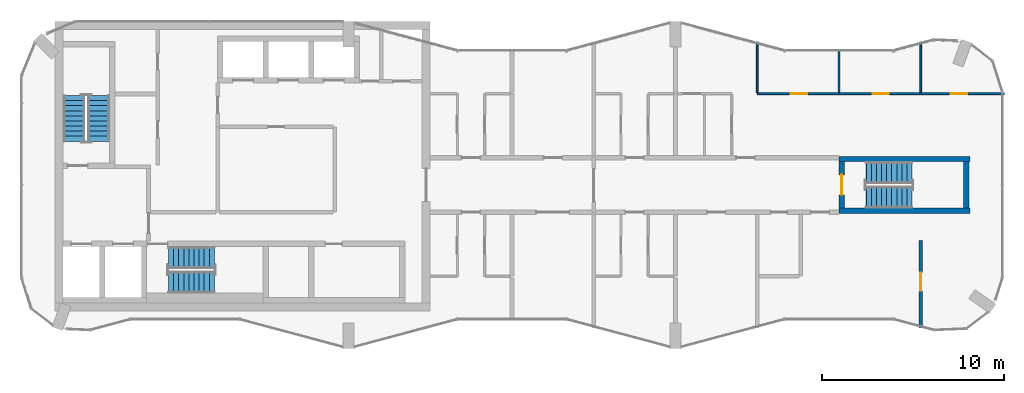
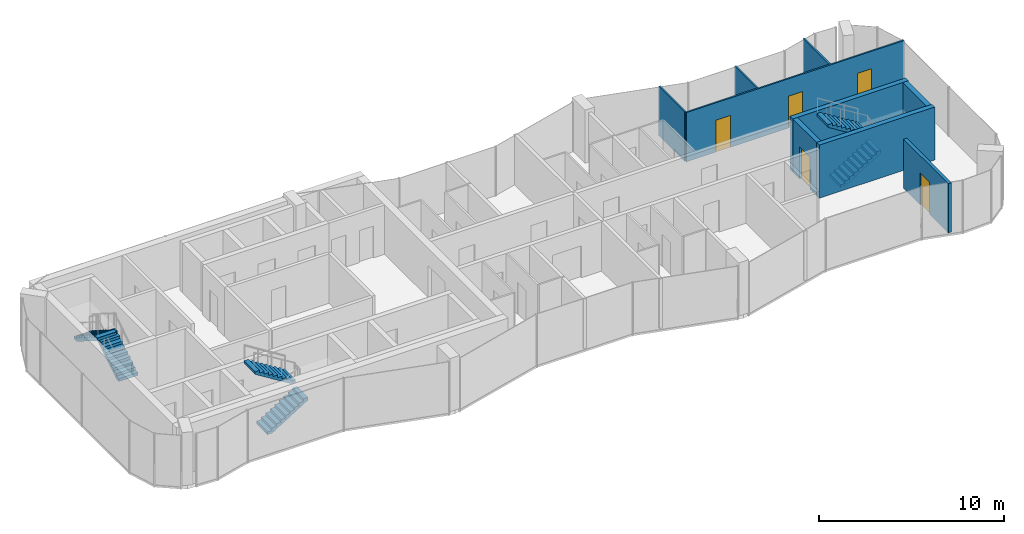
# One storey, part 9 of 10: 9 walls, 6 stair flights, 5 doors, 5 openings, 3 elements without a shape of their own.
"""IFC4 building model written with IfcOpenShell, lengths in metres."""

import ifcopenshell
import ifcopenshell.guid

model = None  # the IFC model being written
_history = None  # IfcOwnerHistory: only IFC2X3 demands one
_inside = {}  # id of a spatial element -> (the spatial element, [elements in it])
_under = {}  # id of a project, library or spatial element -> (it, [spatial elements below it])
_declared = {}  # id of a project -> (the project, [libraries it declares])
_typed = {}  # id of a type object -> (the type object, [elements of that type])
_made_of = {}  # id of a material, layer set ... -> (it, [elements and type objects made of it])


def new_model(schema):
    """Start an empty IFC model of exactly this schema.

    Asked for "IFC4X3", IfcOpenShell would pick the latest addendum, in which some entities
    have other attributes; the version numbers below select the first issue.
    IFC2X3 requires an IfcOwnerHistory on every rooted entity: one is made here for all.
    """
    global model, _history
    if schema == "IFC4X3":
        model = ifcopenshell.file(schema_version=(4, 3, 0, 0))
    else:
        model = ifcopenshell.file(schema=schema)
    _inside.clear()
    _under.clear()
    _declared.clear()
    _typed.clear()
    _made_of.clear()
    _history = None
    if model.schema == "IFC2X3":
        org = make("IfcOrganization", Name="unknown")
        user = make(
            "IfcPersonAndOrganization",
            ThePerson=make("IfcPerson", FamilyName="unknown"),
            TheOrganization=org,
        )
        app = make(
            "IfcApplication",
            ApplicationDeveloper=org,
            Version="unknown",
            ApplicationFullName="unknown",
            ApplicationIdentifier="unknown",
        )
        _history = make(
            "IfcOwnerHistory",
            OwningUser=user,
            OwningApplication=app,
            ChangeAction="ADDED",
            CreationDate=0,
        )
    return model


def make(cls, **values):
    """One entity of the class cls with the attributes given. An attribute that is None is left unset."""
    return model.create_entity(
        cls, **{name: value for name, value in values.items() if value is not None}
    )


def rooted(cls, **values):
    """An entity with a GlobalId (a new one), such as an element, a storey or a relation."""
    return make(cls, GlobalId=ifcopenshell.guid.new(), OwnerHistory=_history, **values)


def si_unit(unit_type, name, prefix=None):
    """IfcSIUnit, for example si_unit("LENGTHUNIT", "METRE", prefix="MILLI")."""
    return make("IfcSIUnit", UnitType=unit_type, Prefix=prefix, Name=name)


def assignment(units):
    """IfcUnitAssignment: the units of a project."""
    return None if units is None else make("IfcUnitAssignment", Units=units)


def point(xyz):
    """IfcCartesianPoint."""
    return None if xyz is None else make("IfcCartesianPoint", Coordinates=xyz)


def direction(xyz):
    """IfcDirection."""
    return None if xyz is None else make("IfcDirection", DirectionRatios=xyz)


def frame(location, z_axis=None, x_axis=None):
    """IfcAxis2Placement3D, a coordinate frame: its origin and axes. An axis left out is left unset."""
    return make(
        "IfcAxis2Placement3D",
        Location=point(location),
        Axis=direction(z_axis),
        RefDirection=direction(x_axis),
    )


def frame_2d(location, x_axis=None):
    """IfcAxis2Placement2D, a coordinate frame in the plane: its origin and x axis."""
    return make(
        "IfcAxis2Placement2D", Location=point(location), RefDirection=direction(x_axis)
    )


def origin():
    """The frame at (0, 0, 0) with its axes left unset."""
    return frame((0.0, 0.0, 0.0))


def place(relative_to, where):
    """IfcLocalPlacement: puts the frame where relative to a parent placement (None: the world)."""
    return make(
        "IfcLocalPlacement", PlacementRelTo=relative_to, RelativePlacement=where
    )


def context(
    kind, dimensions, precision=None, world=None, true_north=None, identifier=None
):
    """IfcGeometricRepresentationContext, for example the 3D "Model" context."""
    return make(
        "IfcGeometricRepresentationContext",
        ContextIdentifier=identifier,
        ContextType=kind,
        CoordinateSpaceDimension=dimensions,
        Precision=precision,
        WorldCoordinateSystem=world,
        TrueNorth=true_north,
    )


def subcontext(parent, identifier, kind, view, scale=None):
    """IfcGeometricRepresentationSubContext, for example "Body" below "Model"."""
    return make(
        "IfcGeometricRepresentationSubContext",
        ContextIdentifier=identifier,
        ContextType=kind,
        ParentContext=parent,
        TargetScale=scale,
        TargetView=view,
    )


def project(units=None, contexts=None):
    """IfcProject with its units and contexts."""
    return rooted(
        "IfcProject",
        Name="project",
        RepresentationContexts=contexts,
        UnitsInContext=assignment(units),
    )


def spatial(cls, under=None, at=None, **own):
    """A site, building, storey or space (cls), placed at a placement, below another one or the project."""
    s = rooted(cls, ObjectPlacement=at, **own)
    if under is not None:
        _under.setdefault(under.id(), (under, []))[1].append(s)
    return s


def polyline(points):
    """IfcPolyline through the points."""
    return make("IfcPolyline", Points=[point(p) for p in points])


def profile(cls, at=None, kind="AREA", **sizes):
    """A parametric profile (cls). Its sizes go by their IFC names, for example OverallWidth=200.0."""
    return make(cls, ProfileType=kind, Position=at, **sizes)


def rectangle(**sizes):
    """IfcRectangleProfileDef."""
    return profile("IfcRectangleProfileDef", **sizes)


def outline(outer, holes=None, kind="AREA"):
    """IfcArbitraryClosedProfileDef: a profile drawn as a closed curve; with holes, ...WithVoids."""
    if holes is None:
        return make("IfcArbitraryClosedProfileDef", ProfileType=kind, OuterCurve=outer)
    return make(
        "IfcArbitraryProfileDefWithVoids",
        ProfileType=kind,
        OuterCurve=outer,
        InnerCurves=holes,
    )


def extrude(swept, where, along, depth):
    """IfcExtrudedAreaSolid: the profile swept, set in the frame where, extruded along a direction by depth."""
    return make(
        "IfcExtrudedAreaSolid",
        SweptArea=swept,
        Position=where,
        ExtrudedDirection=direction(along),
        Depth=depth,
    )


def shape(context_of_items, identifier, shape_type, items):
    """IfcShapeRepresentation: the items that make up one representation, for example the "Body"."""
    return make(
        "IfcShapeRepresentation",
        ContextOfItems=context_of_items,
        RepresentationIdentifier=identifier,
        RepresentationType=shape_type,
        Items=items,
    )


def material(Name=None, Category=None):
    """IfcMaterial."""
    return make("IfcMaterial", Name=Name, Category=Category)


def layer(
    of_material, thickness, ventilated=None, Name=None, Category=None, Priority=None
):
    """IfcMaterialLayer: one layer of a wall or slab, of a material (None: an air gap)."""
    return make(
        "IfcMaterialLayer",
        Material=of_material,
        LayerThickness=thickness,
        IsVentilated=ventilated,
        Name=Name,
        Category=Category,
        Priority=Priority,
    )


def layer_set(layers, Name=None):
    """IfcMaterialLayerSet."""
    return make("IfcMaterialLayerSet", MaterialLayers=layers, LayerSetName=Name)


def made_of(thing, what):
    """Note that an element or type object is made of a material, layer set ...; save() writes the relation."""
    if what is not None:
        _made_of.setdefault(what.id(), (what, []))[1].append(thing)
    return thing


def type_object(cls, material=None, **own):
    """A type object (cls), such as IfcWallType, which elements share."""
    return made_of(rooted(cls, **own), material)


def element(
    cls,
    number,
    at=None,
    inside=None,
    cuts=None,
    type_object=None,
    material=None,
    context=None,
    identifier="Body",
    shape_type=None,
    held_by="IfcProductDefinitionShape",
    body=None,
    shapes=None,
    **own,
):
    """One element of the class cls, such as IfcWall. Its Tag is "e" and its number.

    at: its placement. inside: the storey or other place that contains it. cuts: it is an
    opening in that element (IfcRelVoidsElement). A single representation is given by context,
    identifier, shape_type and body (its items); several are given by shapes. held_by: the class
    of the entity that holds the representations. save() writes the other relations.
    """
    e = rooted(cls, Tag="e%d" % number, ObjectPlacement=at, **own)
    if body is not None:
        shapes = [shape(context, identifier, shape_type, body)]
    if shapes is not None:
        e.Representation = make(held_by, Representations=shapes)
    if inside is not None:
        _inside.setdefault(inside.id(), (inside, []))[1].append(e)
    if cuts is not None:
        rooted(
            "IfcRelVoidsElement", RelatingBuildingElement=cuts, RelatedOpeningElement=e
        )
    if type_object is not None:
        _typed.setdefault(type_object.id(), (type_object, []))[1].append(e)
    return made_of(e, material)


def fill(opening, filler):
    """IfcRelFillsElement: the door or window that sits in an opening."""
    return rooted(
        "IfcRelFillsElement",
        RelatingOpeningElement=opening,
        RelatedBuildingElement=filler,
    )


def aggregate(whole, parts):
    """IfcRelAggregates: a whole, such as a stair, and the parts it consists of."""
    return rooted("IfcRelAggregates", RelatingObject=whole, RelatedObjects=parts)


def save(model, path):
    """Write the relations noted so far, then the file.

    IfcRelAggregates (storeys below a building ...), IfcRelContainedInSpatialStructure (elements
    in a storey), IfcRelDefinesByType, IfcRelAssociatesMaterial and IfcRelDeclares: one each for
    every whole, place, type object, material and project.
    """
    for whole, parts in _under.values():
        aggregate(whole, parts)
    for where, things in _inside.values():
        rooted(
            "IfcRelContainedInSpatialStructure",
            RelatedElements=things,
            RelatingStructure=where,
        )
    for kind, things in _typed.values():
        rooted("IfcRelDefinesByType", RelatedObjects=things, RelatingType=kind)
    for what, things in _made_of.values():
        rooted("IfcRelAssociatesMaterial", RelatedObjects=things, RelatingMaterial=what)
    for by, libraries in _declared.values():
        rooted("IfcRelDeclares", RelatingContext=by, RelatedDefinitions=libraries)
    model.write(path)


model = new_model("IFC4")

# Units and contexts
model_context = context("Model", 3, precision=1e-05, world=origin(), true_north=direction((0.0, 1.0)))
body_context = subcontext(model_context, "Body", "Model", "MODEL_VIEW")
ifc_project = project(units=[si_unit("LENGTHUNIT", "METRE"), si_unit("AREAUNIT", "SQUARE_METRE"), si_unit("VOLUMEUNIT", "CUBIC_METRE"), si_unit("PLANEANGLEUNIT", "RADIAN"), si_unit("MASSUNIT", "GRAM", prefix="KILO")], contexts=[model_context])

# Site, building, storey
site_placement = place(None, origin())
site = spatial("IfcSite", under=ifc_project, at=site_placement, CompositionType="ELEMENT")
building_placement = place(site_placement, origin())
building = spatial("IfcBuilding", under=site, at=building_placement, Name="Plateau Cross Towers", CompositionType="ELEMENT")
storey_placement = place(building_placement, frame((0.0, 0.0, 256.39990234375)))
storey = spatial("IfcBuildingStorey", under=building, at=storey_placement, Name="L67", CompositionType="ELEMENT", Elevation=256.39990234375)

# Wall, openings, doors
ifc_material_1 = material(Name="Gypsum board on steel studs", Category="steel")
ifc_layer_1 = layer(ifc_material_1, 0.10009765625)
ifc_layer_set_1 = layer_set([ifc_layer_1], Name="Gypsum board on steel studs")
wall_type_1 = type_object("IfcWallType", Name="Flat partition 100", PredefinedType="PARTITIONING", material=ifc_layer_set_1)
wall_1_placement = place(storey_placement, frame((40.5, 14.02490234375, 0.0), z_axis=(0.0, 0.0, 1.0), x_axis=(1.0, 0.0, 0.0)))
wall_1 = element("IfcWall", 1, at=wall_1_placement, inside=storey, type_object=wall_type_1, Name="Partition wall", PredefinedType="PARTITIONING", context=body_context, shape_type="SweptSolid", body=[
    extrude(rectangle(XDim=13.580078125, YDim=0.10009765625, at=frame_2d((6.7900390625, 0.0))), origin(), (0.0, 0.0, 1.0), 3.25),
])
opening_1_placement = place(wall_1_placement, frame((1.85009765625, 0.0, 0.0)))
opening_1 = element("IfcOpeningElement", 2, at=opening_1_placement, cuts=wall_1, Name="Opening 67-23", PredefinedType="OPENING", context=body_context, shape_type="SweptSolid", body=[
    extrude(rectangle(XDim=0.89990234375, YDim=2.10009765625, at=frame_2d((0.449951171875, 1.050048828125))), frame((0.0, 0.06005859375, 0.0), z_axis=(0.0, -1.0, 0.0), x_axis=(1.0, 0.0, 0.0)), (0.0, 0.0, 1.0), 0.1201171875),
])
opening_2_placement = place(wall_1_placement, frame((6.35009765625, 0.0, 0.0)))
opening_2 = element("IfcOpeningElement", 3, at=opening_2_placement, cuts=wall_1, Name="Opening 67-24", PredefinedType="OPENING", context=body_context, shape_type="SweptSolid", body=[
    extrude(rectangle(XDim=0.89990234375, YDim=2.10009765625, at=frame_2d((0.449951171875, 1.050048828125))), frame((0.0, 0.06005859375, 0.0), z_axis=(0.0, -1.0, 0.0), x_axis=(1.0, 0.0, 0.0)), (0.0, 0.0, 1.0), 0.1201171875),
])
opening_3_placement = place(wall_1_placement, frame((10.64990234375, 0.0, 0.0)))
opening_3 = element("IfcOpeningElement", 4, at=opening_3_placement, cuts=wall_1, Name="Opening 67-25", PredefinedType="OPENING", context=body_context, shape_type="SweptSolid", body=[
    extrude(rectangle(XDim=0.89990234375, YDim=2.10009765625, at=frame_2d((0.449951171875, 1.050048828125))), frame((0.0, 0.06005859375, 0.0), z_axis=(0.0, -1.0, 0.0), x_axis=(1.0, 0.0, 0.0)), (0.0, 0.0, 1.0), 0.1201171875),
])
ifc_material_2 = material(Name="Timber leaf", Category="wood")
door_type_1 = type_object("IfcDoorType", Name="Flat room door 900", OperationType="NOTDEFINED", PredefinedType="DOOR", material=ifc_material_2)
door_1_placement = place(opening_1_placement, origin())
door_1 = element("IfcDoor", 5, at=door_1_placement, inside=storey, type_object=door_type_1, Name="Door 67-23", OperationType="SINGLE_SWING_LEFT", OverallHeight=2.10009765625, OverallWidth=0.89990234375, PredefinedType="DOOR", context=body_context, shape_type="SweptSolid", body=[
    extrude(rectangle(XDim=0.89990234375, YDim=2.10009765625, at=frame_2d((0.449951171875, 1.050048828125))), frame((0.0, 0.02490234375, 0.0), z_axis=(0.0, -1.0, 0.0), x_axis=(1.0, 0.0, 0.0)), (0.0, 0.0, 1.0), 0.050048828125),
])
fill(opening_1, door_1)
door_2_placement = place(opening_2_placement, origin())
door_2 = element("IfcDoor", 6, at=door_2_placement, inside=storey, type_object=door_type_1, Name="Door 67-24", OperationType="SINGLE_SWING_RIGHT", OverallHeight=2.10009765625, OverallWidth=0.89990234375, PredefinedType="DOOR", context=body_context, shape_type="SweptSolid", body=[
    extrude(rectangle(XDim=0.89990234375, YDim=2.10009765625, at=frame_2d((0.449951171875, 1.050048828125))), frame((0.0, 0.02490234375, 0.0), z_axis=(0.0, -1.0, 0.0), x_axis=(1.0, 0.0, 0.0)), (0.0, 0.0, 1.0), 0.050048828125),
])
fill(opening_2, door_2)
door_3_placement = place(opening_3_placement, origin())
door_3 = element("IfcDoor", 7, at=door_3_placement, inside=storey, type_object=door_type_1, Name="Door 67-25", OperationType="SINGLE_SWING_RIGHT", OverallHeight=2.10009765625, OverallWidth=0.89990234375, PredefinedType="DOOR", context=body_context, shape_type="SweptSolid", body=[
    extrude(rectangle(XDim=0.89990234375, YDim=2.10009765625, at=frame_2d((0.449951171875, 1.050048828125))), frame((0.0, 0.02490234375, 0.0), z_axis=(0.0, -1.0, 0.0), x_axis=(1.0, 0.0, 0.0)), (0.0, 0.0, 1.0), 0.050048828125),
])
fill(opening_3, door_3)

# Walls
wall_2_placement = place(storey_placement, frame((40.5, 16.877685546875, 0.0), z_axis=(0.0, 0.0, 1.0), x_axis=(0.0, -1.0, 0.0)))
element("IfcWall", 8, at=wall_2_placement, inside=storey, type_object=wall_type_1, Name="Partition wall", PredefinedType="PARTITIONING", context=body_context, shape_type="SweptSolid", body=[
    extrude(rectangle(XDim=2.802734375, YDim=0.10009765625, at=frame_2d((1.4013671875, 0.0))), origin(), (0.0, 0.0, 1.0), 3.25),
])
wall_3_placement = place(storey_placement, frame((45.0, 14.074951171875, 0.0), z_axis=(0.0, 0.0, 1.0), x_axis=(0.0, 1.0, 0.0)))
element("IfcWall", 9, at=wall_3_placement, inside=storey, type_object=wall_type_1, Name="Partition wall", PredefinedType="PARTITIONING", context=body_context, shape_type="SweptSolid", body=[
    extrude(rectangle(XDim=2.398193359375, YDim=0.10009765625, at=frame_2d((1.19921875, 0.0))), origin(), (0.0, 0.0, 1.0), 3.25),
])
wall_4_placement = place(storey_placement, frame((49.5, 14.074951171875, 0.0), z_axis=(0.0, 0.0, 1.0), x_axis=(0.0, 1.0, 0.0)))
element("IfcWall", 10, at=wall_4_placement, inside=storey, type_object=wall_type_1, Name="Partition wall", PredefinedType="PARTITIONING", context=body_context, shape_type="SweptSolid", body=[
    extrude(rectangle(XDim=2.802734375, YDim=0.10009765625, at=frame_2d((1.4013671875, 0.0))), origin(), (0.0, 0.0, 1.0), 3.25),
])

# Wall, opening, door
ifc_material_3 = material(Name="Gypsum board on steel studs, two layers each side", Category="steel")
ifc_layer_2 = layer(ifc_material_3, 0.199951171875)
ifc_layer_set_2 = layer_set([ifc_layer_2], Name="Gypsum board on steel studs, two layers each side")
wall_type_2 = type_object("IfcWallType", Name="Flat party wall 200", PredefinedType="PARTITIONING", material=ifc_layer_set_2)
wall_5_placement = place(storey_placement, frame((49.5, 1.122314453125, 0.0), z_axis=(0.0, 0.0, 1.0), x_axis=(0.0, 1.0, 0.0)))
wall_5 = element("IfcWall", 11, at=wall_5_placement, inside=storey, type_object=wall_type_2, Name="Party wall", PredefinedType="PARTITIONING", context=body_context, shape_type="SweptSolid", body=[
    extrude(rectangle(XDim=4.82763671875, YDim=0.199951171875, at=frame_2d((2.413818359375, 0.0))), origin(), (0.0, 0.0, 1.0), 3.25),
])
opening_4_placement = place(wall_5_placement, frame((2.050048828125, 0.0, 0.0)))
opening_4 = element("IfcOpeningElement", 12, at=opening_4_placement, cuts=wall_5, Name="Opening 67-12", PredefinedType="OPENING", context=body_context, shape_type="SweptSolid", body=[
    extrude(rectangle(XDim=1.0, YDim=2.10009765625, at=frame_2d((0.5, 1.050048828125))), frame((0.0, 0.10986328125, 0.0), z_axis=(0.0, -1.0, 0.0), x_axis=(1.0, 0.0, 0.0)), (0.0, 0.0, 1.0), 0.219970703125),
])
ifc_material_4 = material(Name="Timber, fire-resisting leaf", Category="wood")
door_type_2 = type_object("IfcDoorType", Name="Flat entrance door 1000", OperationType="NOTDEFINED", PredefinedType="DOOR", material=ifc_material_4)
door_4_placement = place(opening_4_placement, origin())
door_4 = element("IfcDoor", 13, at=door_4_placement, inside=storey, type_object=door_type_2, Name="Door 67-12", OperationType="SINGLE_SWING_RIGHT", OverallHeight=2.10009765625, OverallWidth=1.0, PredefinedType="DOOR", context=body_context, shape_type="SweptSolid", body=[
    extrude(rectangle(XDim=1.0, YDim=2.10009765625, at=frame_2d((0.5, 1.050048828125))), frame((0.0, 0.02490234375, 0.0), z_axis=(0.0, -1.0, 0.0), x_axis=(1.0, 0.0, 0.0)), (0.0, 0.0, 1.0), 0.050048828125),
])
fill(opening_4, door_4)

ifc_material_5 = material(Name="Concrete C60/75", Category="concrete")
ifc_layer_3 = layer(ifc_material_5, 0.300048828125)
ifc_layer_set_3 = layer_set([ifc_layer_3], Name="Concrete C60/75")
wall_type_3 = type_object("IfcWallType", Name="Stair tower wall 300", PredefinedType="SHEAR", material=ifc_layer_set_3)
wall_6_placement = place(storey_placement, frame((45.14990234375, 7.72509765625, 0.0), z_axis=(0.0, 0.0, 1.0), x_axis=(0.0, 1.0, 0.0)))
wall_6 = element("IfcWall", 14, at=wall_6_placement, inside=storey, type_object=wall_type_3, Name="A-end-E-W@L67", PredefinedType="SHEAR", context=body_context, shape_type="SweptSolid", body=[
    extrude(rectangle(XDim=2.5498046875, YDim=0.300048828125, at=frame_2d((1.27490234375, 0.0))), origin(), (0.0, 0.0, 1.0), 3.5),
])
opening_5_placement = place(wall_6_placement, frame((0.72509765625, 0.0, 0.0)))
opening_5 = element("IfcOpeningElement", 15, at=opening_5_placement, cuts=wall_6, Name="Opening SD", PredefinedType="OPENING", context=body_context, shape_type="SweptSolid", body=[
    extrude(rectangle(XDim=1.10009765625, YDim=2.10009765625, at=frame_2d((0.550048828125, 1.050048828125))), frame((0.0, 0.159912109375, 0.0), z_axis=(0.0, -1.0, 0.0), x_axis=(1.0, 0.0, 0.0)), (0.0, 0.0, 1.0), 0.320068359375),
])
ifc_material_6 = material(Name="Steel, fire-resisting leaf", Category="steel")
door_type_3 = type_object("IfcDoorType", Name="Stair door 1100", OperationType="NOTDEFINED", PredefinedType="DOOR", material=ifc_material_6)
door_5_placement = place(opening_5_placement, origin())
door_5 = element("IfcDoor", 16, at=door_5_placement, inside=storey, type_object=door_type_3, Name="Stair door SD", OperationType="SINGLE_SWING_LEFT", OverallHeight=2.10009765625, OverallWidth=1.10009765625, PredefinedType="DOOR", context=body_context, shape_type="SweptSolid", body=[
    extrude(rectangle(XDim=1.10009765625, YDim=2.10009765625, at=frame_2d((0.550048828125, 1.050048828125))), frame((0.0, 0.02490234375, 0.0), z_axis=(0.0, -1.0, 0.0), x_axis=(1.0, 0.0, 0.0)), (0.0, 0.0, 1.0), 0.050048828125),
])
fill(opening_5, door_5)

# Walls
wall_7_placement = place(storey_placement, frame((52.0, 7.72509765625, 0.0), z_axis=(0.0, 0.0, 1.0), x_axis=(0.0, 1.0, 0.0)))
element("IfcWall", 17, at=wall_7_placement, inside=storey, type_object=wall_type_3, Name="A-end-E-E@L67", PredefinedType="SHEAR", context=body_context, shape_type="SweptSolid", body=[
    extrude(rectangle(XDim=2.5498046875, YDim=0.300048828125, at=frame_2d((1.27490234375, 0.0))), origin(), (0.0, 0.0, 1.0), 3.5),
])
for number, where, z_axis, x_axis, name in (
    (18, (45.0, 7.574951171875, 0.0), (0.0, 0.0, 1.0), (1.0, 0.0, 0.0), "A-end-E-S@L67"),
    (19, (45.0, 10.425048828125, 0.0), (0.0, 0.0, 1.0), (1.0, 0.0, 0.0), "A-end-E-N@L67"),
):
    element("IfcWall", number, at=place(storey_placement, frame(where, z_axis=z_axis, x_axis=x_axis)), inside=storey, type_object=wall_type_3, Name=name, PredefinedType="SHEAR", context=body_context, shape_type="SweptSolid", body=[
        extrude(rectangle(XDim=7.199951171875, YDim=0.300048828125, at=frame_2d((3.60009765625, 0.0))), origin(), (0.0, 0.0, 1.0), 3.5),
    ])

# Stair, stair flights
ifc_material_7 = material(Name="Concrete C40/50", Category="concrete")
stair_type = type_object("IfcStairType", Name="ST-TWR", PredefinedType="HALF_TURN_STAIR", material=ifc_material_7)
stair_1_placement = place(storey_placement, origin())
stair_1 = element("IfcStair", 20, at=stair_1_placement, inside=storey, type_object=stair_type, Name="L67 Protected Exit Stair ST-1", PredefinedType="HALF_TURN_STAIR")
stair_flight_type = type_object("IfcStairFlightType", Name="SFL-RC", PredefinedType="STRAIGHT", material=ifc_material_7)
stair_flight_1_placement = place(storey_placement, frame((4.25, 11.39990234375, 0.0), z_axis=(0.0, 0.0, 1.0), x_axis=(0.0, 1.0, 0.0)))
stair_flight_1 = element("IfcStairFlight", 21, at=stair_flight_1_placement, type_object=stair_flight_type, Name="ST-1 flight 1", NumberOfRisers=10, NumberOfTreads=9, PredefinedType="STRAIGHT", RiserHeight=0.175, TreadLength=0.28, context=body_context, shape_type="SweptSolid", body=[
    extrude(outline(polyline([(-0.0048828125, -0.010009765625), (-0.0048828125, 0.0), (0.0, 0.0), (0.0, 0.175048828125), (0.280029296875, 0.175048828125), (0.280029296875, 0.35009765625), (0.56005859375, 0.35009765625), (0.56005859375, 0.52490234375), (0.840087890625, 0.52490234375), (0.840087890625, 0.699951171875), (1.1201171875, 0.699951171875), (1.1201171875, 0.875), (1.39990234375, 0.875), (1.39990234375, 1.050048828125), (1.679931640625, 1.050048828125), (1.679931640625, 1.22509765625), (1.9599609375, 1.22509765625), (1.9599609375, 1.39990234375), (2.239990234375, 1.39990234375), (2.239990234375, 1.574951171875), (2.52001953125, 1.574951171875), (2.52490234375, 1.56494140625), (2.52490234375, 1.398193359375), (2.52001953125, 1.398193359375), (0.28271484375, 0.0), (0.02001953125, 0.0), (0.02001953125, -0.010009765625), (-0.0048828125, -0.010009765625)])), frame((0.0, 0.60009765625, 0.0), z_axis=(0.0, -1.0, 0.0), x_axis=(1.0, 0.0, 0.0)), (0.0, 0.0, 1.0), 1.199951171875),
])
stair_flight_2_placement = place(storey_placement, frame((2.89990234375, 13.919921875, 1.75), z_axis=(0.0, 0.0, 1.0), x_axis=(0.0, -1.0, 0.0)))
stair_flight_2 = element("IfcStairFlight", 22, at=stair_flight_2_placement, type_object=stair_flight_type, Name="ST-1 flight 2", NumberOfRisers=10, NumberOfTreads=9, PredefinedType="STRAIGHT", RiserHeight=0.175, TreadLength=0.28, context=body_context, shape_type="SweptSolid", body=[
    extrude(outline(polyline([(-0.0048828125, -0.010009765625), (-0.0048828125, 0.0), (0.0, 0.0), (0.0, 0.175048828125), (0.280029296875, 0.175048828125), (0.280029296875, 0.35009765625), (0.56005859375, 0.35009765625), (0.56005859375, 0.52490234375), (0.840087890625, 0.52490234375), (0.840087890625, 0.699951171875), (1.1201171875, 0.699951171875), (1.1201171875, 0.875), (1.39990234375, 0.875), (1.39990234375, 1.050048828125), (1.679931640625, 1.050048828125), (1.679931640625, 1.22509765625), (1.9599609375, 1.22509765625), (1.9599609375, 1.39990234375), (2.239990234375, 1.39990234375), (2.239990234375, 1.574951171875), (2.52001953125, 1.574951171875), (2.52490234375, 1.56494140625), (2.52490234375, 1.398193359375), (2.52001953125, 1.398193359375), (0.28271484375, 0.0), (0.02001953125, 0.0), (0.02001953125, -0.010009765625), (-0.0048828125, -0.010009765625)])), frame((0.0, 0.60009765625, 0.0), z_axis=(0.0, -1.0, 0.0), x_axis=(1.0, 0.0, 0.0)), (0.0, 0.0, 1.0), 1.199951171875),
])
aggregate(stair_1, [stair_flight_1, stair_flight_2])

stair_2_placement = place(storey_placement, origin())
stair_2 = element("IfcStair", 23, at=stair_2_placement, inside=storey, type_object=stair_type, Name="L67 Protected Exit Stair ST-2", PredefinedType="HALF_TURN_STAIR")
stair_flight_3_placement = place(storey_placement, frame((8.10009765625, 3.64990234375, 0.0), z_axis=(0.0, 0.0, 1.0), x_axis=(1.0, 0.0, 0.0)))
stair_flight_3 = element("IfcStairFlight", 24, at=stair_flight_3_placement, type_object=stair_flight_type, Name="ST-2 flight 1", NumberOfRisers=10, NumberOfTreads=9, PredefinedType="STRAIGHT", RiserHeight=0.175, TreadLength=0.28, context=body_context, shape_type="SweptSolid", body=[
    extrude(outline(polyline([(-0.0048828125, -0.010009765625), (-0.0048828125, 0.0), (0.0, 0.0), (0.0, 0.175048828125), (0.280029296875, 0.175048828125), (0.280029296875, 0.35009765625), (0.56005859375, 0.35009765625), (0.56005859375, 0.52490234375), (0.840087890625, 0.52490234375), (0.840087890625, 0.699951171875), (1.1201171875, 0.699951171875), (1.1201171875, 0.875), (1.39990234375, 0.875), (1.39990234375, 1.050048828125), (1.679931640625, 1.050048828125), (1.679931640625, 1.22509765625), (1.9599609375, 1.22509765625), (1.9599609375, 1.39990234375), (2.239990234375, 1.39990234375), (2.239990234375, 1.574951171875), (2.52001953125, 1.574951171875), (2.52490234375, 1.56494140625), (2.52490234375, 1.398193359375), (2.52001953125, 1.398193359375), (0.28271484375, 0.0), (0.02001953125, 0.0), (0.02001953125, -0.010009765625), (-0.0048828125, -0.010009765625)])), frame((0.0, 0.60009765625, 0.0), z_axis=(0.0, -1.0, 0.0), x_axis=(1.0, 0.0, 0.0)), (0.0, 0.0, 1.0), 1.199951171875),
])
stair_flight_4_placement = place(storey_placement, frame((10.6201171875, 5.0, 1.75), z_axis=(0.0, 0.0, 1.0), x_axis=(-1.0, 0.0, 0.0)))
stair_flight_4 = element("IfcStairFlight", 25, at=stair_flight_4_placement, type_object=stair_flight_type, Name="ST-2 flight 2", NumberOfRisers=10, NumberOfTreads=9, PredefinedType="STRAIGHT", RiserHeight=0.175, TreadLength=0.28, context=body_context, shape_type="SweptSolid", body=[
    extrude(outline(polyline([(-0.0048828125, -0.010009765625), (-0.0048828125, 0.0), (0.0, 0.0), (0.0, 0.175048828125), (0.280029296875, 0.175048828125), (0.280029296875, 0.35009765625), (0.56005859375, 0.35009765625), (0.56005859375, 0.52490234375), (0.840087890625, 0.52490234375), (0.840087890625, 0.699951171875), (1.1201171875, 0.699951171875), (1.1201171875, 0.875), (1.39990234375, 0.875), (1.39990234375, 1.050048828125), (1.679931640625, 1.050048828125), (1.679931640625, 1.22509765625), (1.9599609375, 1.22509765625), (1.9599609375, 1.39990234375), (2.239990234375, 1.39990234375), (2.239990234375, 1.574951171875), (2.52001953125, 1.574951171875), (2.52490234375, 1.56494140625), (2.52490234375, 1.398193359375), (2.52001953125, 1.398193359375), (0.28271484375, 0.0), (0.02001953125, 0.0), (0.02001953125, -0.010009765625), (-0.0048828125, -0.010009765625)])), frame((0.0, 0.60009765625, 0.0), z_axis=(0.0, -1.0, 0.0), x_axis=(1.0, 0.0, 0.0)), (0.0, 0.0, 1.0), 1.199951171875),
])
aggregate(stair_2, [stair_flight_3, stair_flight_4])

stair_3_placement = place(storey_placement, origin())
stair_3 = element("IfcStair", 26, at=stair_3_placement, inside=storey, type_object=stair_type, Name="L67 Protected Exit Stair E", PredefinedType="HALF_TURN_STAIR")
stair_flight_5_placement = place(storey_placement, frame((46.5, 8.324951171875, 0.0), z_axis=(0.0, 0.0, 1.0), x_axis=(1.0, 0.0, 0.0)))
stair_flight_5 = element("IfcStairFlight", 27, at=stair_flight_5_placement, type_object=stair_flight_type, Name="ES-E flight 1", NumberOfRisers=10, NumberOfTreads=9, PredefinedType="STRAIGHT", RiserHeight=0.175, TreadLength=0.28, context=body_context, shape_type="SweptSolid", body=[
    extrude(outline(polyline([(-0.0048828125, -0.010009765625), (-0.0048828125, 0.0), (0.0, 0.0), (0.0, 0.175048828125), (0.280029296875, 0.175048828125), (0.280029296875, 0.35009765625), (0.56005859375, 0.35009765625), (0.56005859375, 0.52490234375), (0.840087890625, 0.52490234375), (0.840087890625, 0.699951171875), (1.1201171875, 0.699951171875), (1.1201171875, 0.875), (1.39990234375, 0.875), (1.39990234375, 1.050048828125), (1.679931640625, 1.050048828125), (1.679931640625, 1.22509765625), (1.9599609375, 1.22509765625), (1.9599609375, 1.39990234375), (2.239990234375, 1.39990234375), (2.239990234375, 1.574951171875), (2.52001953125, 1.574951171875), (2.52490234375, 1.56494140625), (2.52490234375, 1.398193359375), (2.52001953125, 1.398193359375), (0.28271484375, 0.0), (0.02001953125, 0.0), (0.02001953125, -0.010009765625), (-0.0048828125, -0.010009765625)])), frame((0.0, 0.60009765625, 0.0), z_axis=(0.0, -1.0, 0.0), x_axis=(1.0, 0.0, 0.0)), (0.0, 0.0, 1.0), 1.199951171875),
])
stair_flight_6_placement = place(storey_placement, frame((49.02001953125, 9.675048828125, 1.75), z_axis=(0.0, 0.0, 1.0), x_axis=(-1.0, 0.0, 0.0)))
stair_flight_6 = element("IfcStairFlight", 28, at=stair_flight_6_placement, type_object=stair_flight_type, Name="ES-E flight 2", NumberOfRisers=10, NumberOfTreads=9, PredefinedType="STRAIGHT", RiserHeight=0.175, TreadLength=0.28, context=body_context, shape_type="SweptSolid", body=[
    extrude(outline(polyline([(-0.0048828125, -0.010009765625), (-0.0048828125, 0.0), (0.0, 0.0), (0.0, 0.175048828125), (0.280029296875, 0.175048828125), (0.280029296875, 0.35009765625), (0.56005859375, 0.35009765625), (0.56005859375, 0.52490234375), (0.840087890625, 0.52490234375), (0.840087890625, 0.699951171875), (1.1201171875, 0.699951171875), (1.1201171875, 0.875), (1.39990234375, 0.875), (1.39990234375, 1.050048828125), (1.679931640625, 1.050048828125), (1.679931640625, 1.22509765625), (1.9599609375, 1.22509765625), (1.9599609375, 1.39990234375), (2.239990234375, 1.39990234375), (2.239990234375, 1.574951171875), (2.52001953125, 1.574951171875), (2.52490234375, 1.56494140625), (2.52490234375, 1.398193359375), (2.52001953125, 1.398193359375), (0.28271484375, 0.0), (0.02001953125, 0.0), (0.02001953125, -0.010009765625), (-0.0048828125, -0.010009765625)])), frame((0.0, 0.60009765625, 0.0), z_axis=(0.0, -1.0, 0.0), x_axis=(1.0, 0.0, 0.0)), (0.0, 0.0, 1.0), 1.199951171875),
])
aggregate(stair_3, [stair_flight_5, stair_flight_6])

save(model, "model.ifc")
